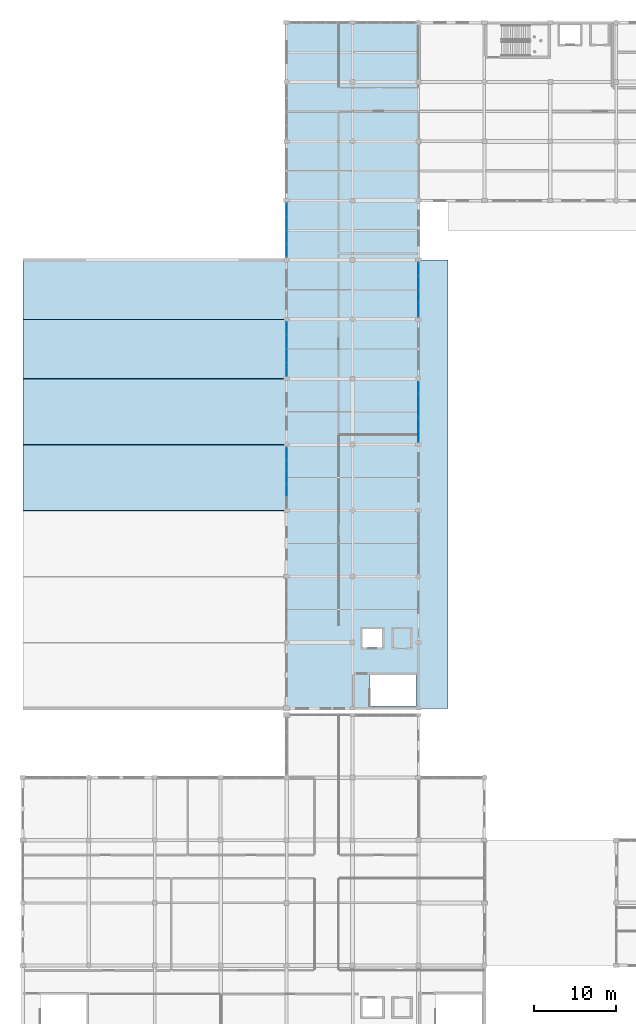
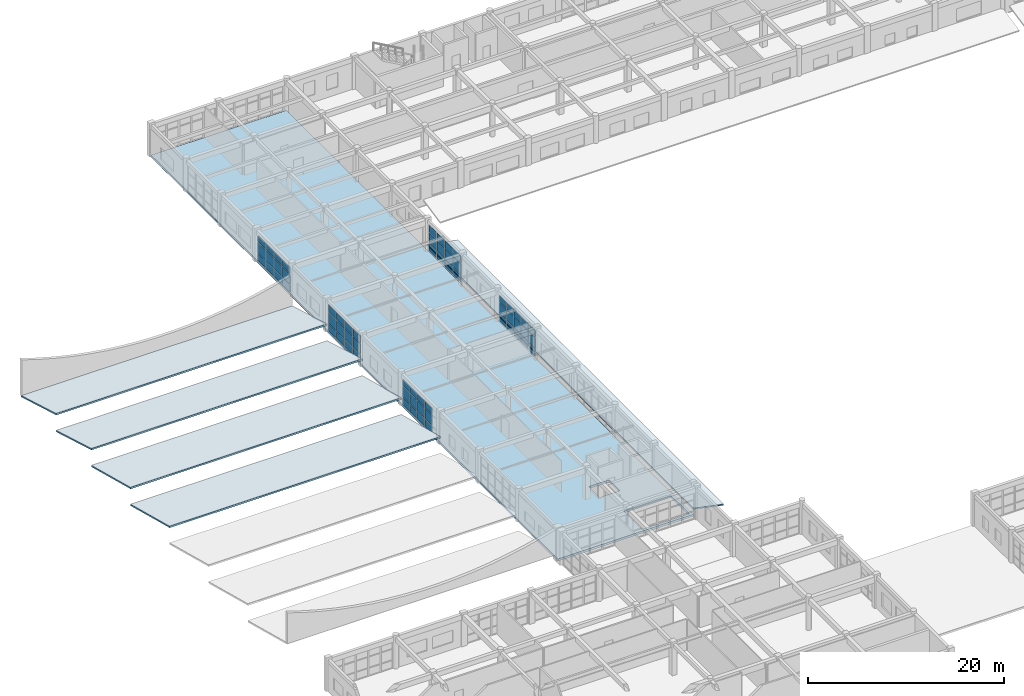
# One storey, part 94 of 121: 63 plates, 6 slabs, 5 elements without a shape of their own.
"""IFC4 building model written with IfcOpenShell, lengths in metres."""

from ifc_helpers import new_model, si_unit, direction, frame, origin, origin_2d, place, context, subcontext, project, spatial, polyline, rectangle, outline, extrude, material, layer, layer_set, type_object, element, aggregate, save


model = new_model("IFC4")

# Units and contexts
model_context = context("Model", 3, precision=1e-05, world=origin(), true_north=direction((0.0, 1.0)))
body_context = subcontext(model_context, "Body", "Model", "MODEL_VIEW")
ifc_project = project(units=[si_unit("LENGTHUNIT", "METRE"), si_unit("AREAUNIT", "SQUARE_METRE"), si_unit("VOLUMEUNIT", "CUBIC_METRE"), si_unit("PLANEANGLEUNIT", "RADIAN"), si_unit("MASSUNIT", "GRAM", prefix="KILO")], contexts=[model_context])

# Site, building, storey
site_placement = place(None, origin())
site = spatial("IfcSite", under=ifc_project, at=site_placement, CompositionType="ELEMENT")
building_placement = place(site_placement, origin())
building = spatial("IfcBuilding", under=site, at=building_placement, Name="Kharva Crest Polytechnic", CompositionType="ELEMENT")
storey_placement = place(building_placement, frame((0.0, 0.0, 13.199951171875)))
storey = spatial("IfcBuildingStorey", under=building, at=storey_placement, Name="L03", CompositionType="ELEMENT", Elevation=13.199951171875)

# Curtain wall, plates
ifc_material_1 = material(Name="Tempered insulated glass", Category="glass")
curtain_wall_type = type_object("IfcCurtainWallType", Name="CW-SYS-COURT", PredefinedType="USERDEFINED", material=ifc_material_1)
curtain_wall_1_placement = place(storey_placement, origin())
curtain_wall_1 = element("IfcCurtainWall", 1, at=curtain_wall_1_placement, inside=storey, type_object=curtain_wall_type, Name="L03 Glazed Curtain Wall CW-165", ObjectType="CURTAIN WALL", PredefinedType="USERDEFINED")
ifc_layer_1 = layer(ifc_material_1, 0.02392578125, Name="Tempered insulated glass")
ifc_layer_set_1 = layer_set([ifc_layer_1], Name="Tempered insulated glass")
plate_type = type_object("IfcPlateType", Name="CWP-GLZ-24", PredefinedType="CURTAIN_PANEL", material=ifc_layer_set_1)
plate_1_placement = place(storey_placement, frame((32.0, 99.297607421875, 0.119873046875), z_axis=(0.0, 0.0, 1.0), x_axis=(0.0, -1.0, 0.0)))
plate_1 = element("IfcPlate", 2, at=plate_1_placement, type_object=plate_type, Name="CW-165 panel 1.1", PredefinedType="CURTAIN_PANEL", context=body_context, shape_type="SweptSolid", body=[
    extrude(rectangle(XDim=1.534912109375, YDim=0.02392578125, at=origin_2d()), origin(), (0.0, 0.0, 1.0), 0.8701171875),
])
plate_2_placement = place(storey_placement, frame((32.0, 99.297607421875, 1.10986328125), z_axis=(0.0, 0.0, 1.0), x_axis=(0.0, -1.0, 0.0)))
plate_2 = element("IfcPlate", 3, at=plate_2_placement, type_object=plate_type, Name="CW-165 panel 1.2", PredefinedType="CURTAIN_PANEL", context=body_context, shape_type="SweptSolid", body=[
    extrude(rectangle(XDim=1.534912109375, YDim=0.02392578125, at=origin_2d()), origin(), (0.0, 0.0, 1.0), 1.280029296875),
])
plate_3_placement = place(storey_placement, frame((32.0, 99.297607421875, 2.510009765625), z_axis=(0.0, 0.0, 1.0), x_axis=(0.0, -1.0, 0.0)))
plate_3 = element("IfcPlate", 4, at=plate_3_placement, type_object=plate_type, Name="CW-165 panel 1.3", PredefinedType="CURTAIN_PANEL", context=body_context, shape_type="SweptSolid", body=[
    extrude(rectangle(XDim=1.534912109375, YDim=0.02392578125, at=origin_2d()), origin(), (0.0, 0.0, 1.0), 0.7099609375),
])
plate_4_placement = place(storey_placement, frame((32.0, 97.66259765625, 0.119873046875), z_axis=(0.0, 0.0, 1.0), x_axis=(0.0, -1.0, 0.0)))
plate_4 = element("IfcPlate", 5, at=plate_4_placement, type_object=plate_type, Name="CW-165 panel 2.1", PredefinedType="CURTAIN_PANEL", context=body_context, shape_type="SweptSolid", body=[
    extrude(rectangle(XDim=1.574951171875, YDim=0.02392578125, at=origin_2d()), origin(), (0.0, 0.0, 1.0), 0.8701171875),
])
plate_5_placement = place(storey_placement, frame((32.0, 97.66259765625, 1.10986328125), z_axis=(0.0, 0.0, 1.0), x_axis=(0.0, -1.0, 0.0)))
plate_5 = element("IfcPlate", 6, at=plate_5_placement, type_object=plate_type, Name="CW-165 panel 2.2", PredefinedType="CURTAIN_PANEL", context=body_context, shape_type="SweptSolid", body=[
    extrude(rectangle(XDim=1.574951171875, YDim=0.02392578125, at=origin_2d()), origin(), (0.0, 0.0, 1.0), 1.280029296875),
])
plate_6_placement = place(storey_placement, frame((32.0, 97.66259765625, 2.510009765625), z_axis=(0.0, 0.0, 1.0), x_axis=(0.0, -1.0, 0.0)))
plate_6 = element("IfcPlate", 7, at=plate_6_placement, type_object=plate_type, Name="CW-165 panel 2.3", PredefinedType="CURTAIN_PANEL", context=body_context, shape_type="SweptSolid", body=[
    extrude(rectangle(XDim=1.574951171875, YDim=0.02392578125, at=origin_2d()), origin(), (0.0, 0.0, 1.0), 0.7099609375),
])
plate_7_placement = place(storey_placement, frame((32.0, 96.007568359375, 0.119873046875), z_axis=(0.0, 0.0, 1.0), x_axis=(0.0, -1.0, 0.0)))
plate_7 = element("IfcPlate", 8, at=plate_7_placement, type_object=plate_type, Name="CW-165 panel 3.1", PredefinedType="CURTAIN_PANEL", context=body_context, shape_type="SweptSolid", body=[
    extrude(rectangle(XDim=1.574951171875, YDim=0.02392578125, at=origin_2d()), origin(), (0.0, 0.0, 1.0), 0.8701171875),
])
plate_8_placement = place(storey_placement, frame((32.0, 96.007568359375, 1.10986328125), z_axis=(0.0, 0.0, 1.0), x_axis=(0.0, -1.0, 0.0)))
plate_8 = element("IfcPlate", 9, at=plate_8_placement, type_object=plate_type, Name="CW-165 panel 3.2", PredefinedType="CURTAIN_PANEL", context=body_context, shape_type="SweptSolid", body=[
    extrude(rectangle(XDim=1.574951171875, YDim=0.02392578125, at=origin_2d()), origin(), (0.0, 0.0, 1.0), 1.280029296875),
])
plate_9_placement = place(storey_placement, frame((32.0, 96.007568359375, 2.510009765625), z_axis=(0.0, 0.0, 1.0), x_axis=(0.0, -1.0, 0.0)))
plate_9 = element("IfcPlate", 10, at=plate_9_placement, type_object=plate_type, Name="CW-165 panel 3.3", PredefinedType="CURTAIN_PANEL", context=body_context, shape_type="SweptSolid", body=[
    extrude(rectangle(XDim=1.574951171875, YDim=0.02392578125, at=origin_2d()), origin(), (0.0, 0.0, 1.0), 0.7099609375),
])
plate_10_placement = place(storey_placement, frame((32.0, 94.37255859375, 0.119873046875), z_axis=(0.0, 0.0, 1.0), x_axis=(0.0, -1.0, 0.0)))
plate_10 = element("IfcPlate", 11, at=plate_10_placement, type_object=plate_type, Name="CW-165 panel 4.1", PredefinedType="CURTAIN_PANEL", context=body_context, shape_type="SweptSolid", body=[
    extrude(rectangle(XDim=1.534912109375, YDim=0.02392578125, at=origin_2d()), origin(), (0.0, 0.0, 1.0), 0.8701171875),
])
plate_11_placement = place(storey_placement, frame((32.0, 94.37255859375, 1.10986328125), z_axis=(0.0, 0.0, 1.0), x_axis=(0.0, -1.0, 0.0)))
plate_11 = element("IfcPlate", 12, at=plate_11_placement, type_object=plate_type, Name="CW-165 panel 4.2", PredefinedType="CURTAIN_PANEL", context=body_context, shape_type="SweptSolid", body=[
    extrude(rectangle(XDim=1.534912109375, YDim=0.02392578125, at=origin_2d()), origin(), (0.0, 0.0, 1.0), 1.280029296875),
])
plate_12_placement = place(storey_placement, frame((32.0, 94.37255859375, 2.510009765625), z_axis=(0.0, 0.0, 1.0), x_axis=(0.0, -1.0, 0.0)))
plate_12 = element("IfcPlate", 13, at=plate_12_placement, type_object=plate_type, Name="CW-165 panel 4.3", PredefinedType="CURTAIN_PANEL", context=body_context, shape_type="SweptSolid", body=[
    extrude(rectangle(XDim=1.534912109375, YDim=0.02392578125, at=origin_2d()), origin(), (0.0, 0.0, 1.0), 0.7099609375),
])
aggregate(curtain_wall_1, [plate_1, plate_2, plate_3, plate_4, plate_5, plate_6, plate_7, plate_8, plate_9, plate_10, plate_11, plate_12])

curtain_wall_2_placement = place(storey_placement, origin())
curtain_wall_2 = element("IfcCurtainWall", 14, at=curtain_wall_2_placement, inside=storey, type_object=curtain_wall_type, Name="L03 Glazed Curtain Wall CW-166", ObjectType="CURTAIN WALL", PredefinedType="USERDEFINED")
plate_13_placement = place(storey_placement, frame((32.0, 84.888671875, 0.119873046875), z_axis=(0.0, 0.0, 1.0), x_axis=(0.0, -1.0, 0.0)))
plate_13 = element("IfcPlate", 15, at=plate_13_placement, type_object=plate_type, Name="CW-166 panel 1.1", PredefinedType="CURTAIN_PANEL", context=body_context, shape_type="SweptSolid", body=[
    extrude(rectangle(XDim=1.552490234375, YDim=0.02392578125, at=origin_2d()), origin(), (0.0, 0.0, 1.0), 0.8701171875),
])
plate_14_placement = place(storey_placement, frame((32.0, 84.888671875, 1.10986328125), z_axis=(0.0, 0.0, 1.0), x_axis=(0.0, -1.0, 0.0)))
plate_14 = element("IfcPlate", 16, at=plate_14_placement, type_object=plate_type, Name="CW-166 panel 1.2", PredefinedType="CURTAIN_PANEL", context=body_context, shape_type="SweptSolid", body=[
    extrude(rectangle(XDim=1.552490234375, YDim=0.02392578125, at=origin_2d()), origin(), (0.0, 0.0, 1.0), 1.280029296875),
])
plate_15_placement = place(storey_placement, frame((32.0, 84.888671875, 2.510009765625), z_axis=(0.0, 0.0, 1.0), x_axis=(0.0, -1.0, 0.0)))
plate_15 = element("IfcPlate", 17, at=plate_15_placement, type_object=plate_type, Name="CW-166 panel 1.3", PredefinedType="CURTAIN_PANEL", context=body_context, shape_type="SweptSolid", body=[
    extrude(rectangle(XDim=1.552490234375, YDim=0.02392578125, at=origin_2d()), origin(), (0.0, 0.0, 1.0), 0.8701171875),
])
plate_16_placement = place(storey_placement, frame((32.0, 83.236328125, 0.119873046875), z_axis=(0.0, 0.0, 1.0), x_axis=(0.0, -1.0, 0.0)))
plate_16 = element("IfcPlate", 18, at=plate_16_placement, type_object=plate_type, Name="CW-166 panel 2.1", PredefinedType="CURTAIN_PANEL", context=body_context, shape_type="SweptSolid", body=[
    extrude(rectangle(XDim=1.592529296875, YDim=0.02392578125, at=origin_2d()), origin(), (0.0, 0.0, 1.0), 0.8701171875),
])
plate_17_placement = place(storey_placement, frame((32.0, 83.236328125, 1.10986328125), z_axis=(0.0, 0.0, 1.0), x_axis=(0.0, -1.0, 0.0)))
plate_17 = element("IfcPlate", 19, at=plate_17_placement, type_object=plate_type, Name="CW-166 panel 2.2", PredefinedType="CURTAIN_PANEL", context=body_context, shape_type="SweptSolid", body=[
    extrude(rectangle(XDim=1.592529296875, YDim=0.02392578125, at=origin_2d()), origin(), (0.0, 0.0, 1.0), 1.280029296875),
])
plate_18_placement = place(storey_placement, frame((32.0, 83.236328125, 2.510009765625), z_axis=(0.0, 0.0, 1.0), x_axis=(0.0, -1.0, 0.0)))
plate_18 = element("IfcPlate", 20, at=plate_18_placement, type_object=plate_type, Name="CW-166 panel 2.3", PredefinedType="CURTAIN_PANEL", context=body_context, shape_type="SweptSolid", body=[
    extrude(rectangle(XDim=1.592529296875, YDim=0.02392578125, at=origin_2d()), origin(), (0.0, 0.0, 1.0), 0.8701171875),
])
plate_19_placement = place(storey_placement, frame((32.0, 81.563720703125, 0.119873046875), z_axis=(0.0, 0.0, 1.0), x_axis=(0.0, -1.0, 0.0)))
plate_19 = element("IfcPlate", 21, at=plate_19_placement, type_object=plate_type, Name="CW-166 panel 3.1", PredefinedType="CURTAIN_PANEL", context=body_context, shape_type="SweptSolid", body=[
    extrude(rectangle(XDim=1.592529296875, YDim=0.02392578125, at=origin_2d()), origin(), (0.0, 0.0, 1.0), 0.8701171875),
])
plate_20_placement = place(storey_placement, frame((32.0, 81.563720703125, 1.10986328125), z_axis=(0.0, 0.0, 1.0), x_axis=(0.0, -1.0, 0.0)))
plate_20 = element("IfcPlate", 22, at=plate_20_placement, type_object=plate_type, Name="CW-166 panel 3.2", PredefinedType="CURTAIN_PANEL", context=body_context, shape_type="SweptSolid", body=[
    extrude(rectangle(XDim=1.592529296875, YDim=0.02392578125, at=origin_2d()), origin(), (0.0, 0.0, 1.0), 1.280029296875),
])
plate_21_placement = place(storey_placement, frame((32.0, 81.563720703125, 2.510009765625), z_axis=(0.0, 0.0, 1.0), x_axis=(0.0, -1.0, 0.0)))
plate_21 = element("IfcPlate", 23, at=plate_21_placement, type_object=plate_type, Name="CW-166 panel 3.3", PredefinedType="CURTAIN_PANEL", context=body_context, shape_type="SweptSolid", body=[
    extrude(rectangle(XDim=1.592529296875, YDim=0.02392578125, at=origin_2d()), origin(), (0.0, 0.0, 1.0), 0.8701171875),
])
plate_22_placement = place(storey_placement, frame((32.0, 79.9111328125, 0.119873046875), z_axis=(0.0, 0.0, 1.0), x_axis=(0.0, -1.0, 0.0)))
plate_22 = element("IfcPlate", 24, at=plate_22_placement, type_object=plate_type, Name="CW-166 panel 4.1", PredefinedType="CURTAIN_PANEL", context=body_context, shape_type="SweptSolid", body=[
    extrude(rectangle(XDim=1.552490234375, YDim=0.02392578125, at=origin_2d()), origin(), (0.0, 0.0, 1.0), 0.8701171875),
])
plate_23_placement = place(storey_placement, frame((32.0, 79.9111328125, 1.10986328125), z_axis=(0.0, 0.0, 1.0), x_axis=(0.0, -1.0, 0.0)))
plate_23 = element("IfcPlate", 25, at=plate_23_placement, type_object=plate_type, Name="CW-166 panel 4.2", PredefinedType="CURTAIN_PANEL", context=body_context, shape_type="SweptSolid", body=[
    extrude(rectangle(XDim=1.552490234375, YDim=0.02392578125, at=origin_2d()), origin(), (0.0, 0.0, 1.0), 1.280029296875),
])
plate_24_placement = place(storey_placement, frame((32.0, 79.9111328125, 2.510009765625), z_axis=(0.0, 0.0, 1.0), x_axis=(0.0, -1.0, 0.0)))
plate_24 = element("IfcPlate", 26, at=plate_24_placement, type_object=plate_type, Name="CW-166 panel 4.3", PredefinedType="CURTAIN_PANEL", context=body_context, shape_type="SweptSolid", body=[
    extrude(rectangle(XDim=1.552490234375, YDim=0.02392578125, at=origin_2d()), origin(), (0.0, 0.0, 1.0), 0.8701171875),
])
aggregate(curtain_wall_2, [plate_13, plate_14, plate_15, plate_16, plate_17, plate_18, plate_19, plate_20, plate_21, plate_22, plate_23, plate_24])

curtain_wall_3_placement = place(storey_placement, origin())
curtain_wall_3 = element("IfcCurtainWall", 27, at=curtain_wall_3_placement, inside=storey, type_object=curtain_wall_type, Name="L03 Glazed Curtain Wall CW-167", ObjectType="CURTAIN WALL", PredefinedType="USERDEFINED")
plate_25_placement = place(storey_placement, frame((32.0, 69.712890625, 0.119873046875), z_axis=(0.0, 0.0, 1.0), x_axis=(0.0, -1.0, 0.0)))
plate_25 = element("IfcPlate", 28, at=plate_25_placement, type_object=plate_type, Name="CW-167 panel 1.1", PredefinedType="CURTAIN_PANEL", context=body_context, shape_type="SweptSolid", body=[
    extrude(rectangle(XDim=1.364013671875, YDim=0.02392578125, at=origin_2d()), origin(), (0.0, 0.0, 1.0), 0.8701171875),
])
plate_26_placement = place(storey_placement, frame((32.0, 69.712890625, 1.10986328125), z_axis=(0.0, 0.0, 1.0), x_axis=(0.0, -1.0, 0.0)))
plate_26 = element("IfcPlate", 29, at=plate_26_placement, type_object=plate_type, Name="CW-167 panel 1.2", PredefinedType="CURTAIN_PANEL", context=body_context, shape_type="SweptSolid", body=[
    extrude(rectangle(XDim=1.364013671875, YDim=0.02392578125, at=origin_2d()), origin(), (0.0, 0.0, 1.0), 1.280029296875),
])
plate_27_placement = place(storey_placement, frame((32.0, 69.712890625, 2.510009765625), z_axis=(0.0, 0.0, 1.0), x_axis=(0.0, -1.0, 0.0)))
plate_27 = element("IfcPlate", 30, at=plate_27_placement, type_object=plate_type, Name="CW-167 panel 1.3", PredefinedType="CURTAIN_PANEL", context=body_context, shape_type="SweptSolid", body=[
    extrude(rectangle(XDim=1.364013671875, YDim=0.02392578125, at=origin_2d()), origin(), (0.0, 0.0, 1.0), 0.75),
])
plate_28_placement = place(storey_placement, frame((32.0, 68.2490234375, 0.119873046875), z_axis=(0.0, 0.0, 1.0), x_axis=(0.0, -1.0, 0.0)))
plate_28 = element("IfcPlate", 31, at=plate_28_placement, type_object=plate_type, Name="CW-167 panel 2.1", PredefinedType="CURTAIN_PANEL", context=body_context, shape_type="SweptSolid", body=[
    extrude(rectangle(XDim=1.404052734375, YDim=0.02392578125, at=origin_2d()), origin(), (0.0, 0.0, 1.0), 0.8701171875),
])
plate_29_placement = place(storey_placement, frame((32.0, 68.2490234375, 1.10986328125), z_axis=(0.0, 0.0, 1.0), x_axis=(0.0, -1.0, 0.0)))
plate_29 = element("IfcPlate", 32, at=plate_29_placement, type_object=plate_type, Name="CW-167 panel 2.2", PredefinedType="CURTAIN_PANEL", context=body_context, shape_type="SweptSolid", body=[
    extrude(rectangle(XDim=1.404052734375, YDim=0.02392578125, at=origin_2d()), origin(), (0.0, 0.0, 1.0), 1.280029296875),
])
plate_30_placement = place(storey_placement, frame((32.0, 68.2490234375, 2.510009765625), z_axis=(0.0, 0.0, 1.0), x_axis=(0.0, -1.0, 0.0)))
plate_30 = element("IfcPlate", 33, at=plate_30_placement, type_object=plate_type, Name="CW-167 panel 2.3", PredefinedType="CURTAIN_PANEL", context=body_context, shape_type="SweptSolid", body=[
    extrude(rectangle(XDim=1.404052734375, YDim=0.02392578125, at=origin_2d()), origin(), (0.0, 0.0, 1.0), 0.75),
])
plate_31_placement = place(storey_placement, frame((32.0, 66.764892578125, 0.119873046875), z_axis=(0.0, 0.0, 1.0), x_axis=(0.0, -1.0, 0.0)))
plate_31 = element("IfcPlate", 34, at=plate_31_placement, type_object=plate_type, Name="CW-167 panel 3.1", PredefinedType="CURTAIN_PANEL", context=body_context, shape_type="SweptSolid", body=[
    extrude(rectangle(XDim=1.404052734375, YDim=0.02392578125, at=origin_2d()), origin(), (0.0, 0.0, 1.0), 0.8701171875),
])
plate_32_placement = place(storey_placement, frame((32.0, 66.764892578125, 1.10986328125), z_axis=(0.0, 0.0, 1.0), x_axis=(0.0, -1.0, 0.0)))
plate_32 = element("IfcPlate", 35, at=plate_32_placement, type_object=plate_type, Name="CW-167 panel 3.2", PredefinedType="CURTAIN_PANEL", context=body_context, shape_type="SweptSolid", body=[
    extrude(rectangle(XDim=1.404052734375, YDim=0.02392578125, at=origin_2d()), origin(), (0.0, 0.0, 1.0), 1.280029296875),
])
plate_33_placement = place(storey_placement, frame((32.0, 66.764892578125, 2.510009765625), z_axis=(0.0, 0.0, 1.0), x_axis=(0.0, -1.0, 0.0)))
plate_33 = element("IfcPlate", 36, at=plate_33_placement, type_object=plate_type, Name="CW-167 panel 3.3", PredefinedType="CURTAIN_PANEL", context=body_context, shape_type="SweptSolid", body=[
    extrude(rectangle(XDim=1.404052734375, YDim=0.02392578125, at=origin_2d()), origin(), (0.0, 0.0, 1.0), 0.75),
])
plate_34_placement = place(storey_placement, frame((32.0, 65.281005859375, 0.119873046875), z_axis=(0.0, 0.0, 1.0), x_axis=(0.0, -1.0, 0.0)))
plate_34 = element("IfcPlate", 37, at=plate_34_placement, type_object=plate_type, Name="CW-167 panel 4.1", PredefinedType="CURTAIN_PANEL", context=body_context, shape_type="SweptSolid", body=[
    extrude(rectangle(XDim=1.404052734375, YDim=0.02392578125, at=origin_2d()), origin(), (0.0, 0.0, 1.0), 0.8701171875),
])
plate_35_placement = place(storey_placement, frame((32.0, 65.281005859375, 1.10986328125), z_axis=(0.0, 0.0, 1.0), x_axis=(0.0, -1.0, 0.0)))
plate_35 = element("IfcPlate", 38, at=plate_35_placement, type_object=plate_type, Name="CW-167 panel 4.2", PredefinedType="CURTAIN_PANEL", context=body_context, shape_type="SweptSolid", body=[
    extrude(rectangle(XDim=1.404052734375, YDim=0.02392578125, at=origin_2d()), origin(), (0.0, 0.0, 1.0), 1.280029296875),
])
plate_36_placement = place(storey_placement, frame((32.0, 65.281005859375, 2.510009765625), z_axis=(0.0, 0.0, 1.0), x_axis=(0.0, -1.0, 0.0)))
plate_36 = element("IfcPlate", 39, at=plate_36_placement, type_object=plate_type, Name="CW-167 panel 4.3", PredefinedType="CURTAIN_PANEL", context=body_context, shape_type="SweptSolid", body=[
    extrude(rectangle(XDim=1.404052734375, YDim=0.02392578125, at=origin_2d()), origin(), (0.0, 0.0, 1.0), 0.75),
])
aggregate(curtain_wall_3, [plate_25, plate_26, plate_27, plate_28, plate_29, plate_30, plate_31, plate_32, plate_33, plate_34, plate_35, plate_36])

curtain_wall_4_placement = place(storey_placement, origin())
curtain_wall_4 = element("IfcCurtainWall", 40, at=curtain_wall_4_placement, inside=storey, type_object=curtain_wall_type, Name="L03 Glazed Curtain Wall CW-170", ObjectType="CURTAIN WALL", PredefinedType="USERDEFINED")
plate_37_placement = place(storey_placement, frame((48.0, 71.81689453125, 0.119873046875), z_axis=(0.0, 0.0, 1.0), x_axis=(0.0, 1.0, 0.0)))
plate_37 = element("IfcPlate", 41, at=plate_37_placement, type_object=plate_type, Name="CW-170 panel 1.1", PredefinedType="CURTAIN_PANEL", context=body_context, shape_type="SweptSolid", body=[
    extrude(rectangle(XDim=1.364013671875, YDim=0.02392578125, at=origin_2d()), origin(), (0.0, 0.0, 1.0), 0.8701171875),
])
plate_38_placement = place(storey_placement, frame((48.0, 71.81689453125, 1.10986328125), z_axis=(0.0, 0.0, 1.0), x_axis=(0.0, 1.0, 0.0)))
plate_38 = element("IfcPlate", 42, at=plate_38_placement, type_object=plate_type, Name="CW-170 panel 1.2", PredefinedType="CURTAIN_PANEL", context=body_context, shape_type="SweptSolid", body=[
    extrude(rectangle(XDim=1.364013671875, YDim=0.02392578125, at=origin_2d()), origin(), (0.0, 0.0, 1.0), 1.280029296875),
])
plate_39_placement = place(storey_placement, frame((48.0, 71.81689453125, 2.510009765625), z_axis=(0.0, 0.0, 1.0), x_axis=(0.0, 1.0, 0.0)))
plate_39 = element("IfcPlate", 43, at=plate_39_placement, type_object=plate_type, Name="CW-170 panel 1.3", PredefinedType="CURTAIN_PANEL", context=body_context, shape_type="SweptSolid", body=[
    extrude(rectangle(XDim=1.364013671875, YDim=0.02392578125, at=origin_2d()), origin(), (0.0, 0.0, 1.0), 0.81005859375),
])
plate_40_placement = place(storey_placement, frame((48.0, 73.281005859375, 0.119873046875), z_axis=(0.0, 0.0, 1.0), x_axis=(0.0, 1.0, 0.0)))
plate_40 = element("IfcPlate", 44, at=plate_40_placement, type_object=plate_type, Name="CW-170 panel 2.1", PredefinedType="CURTAIN_PANEL", context=body_context, shape_type="SweptSolid", body=[
    extrude(rectangle(XDim=1.404052734375, YDim=0.02392578125, at=origin_2d()), origin(), (0.0, 0.0, 1.0), 0.8701171875),
])
plate_41_placement = place(storey_placement, frame((48.0, 73.281005859375, 1.10986328125), z_axis=(0.0, 0.0, 1.0), x_axis=(0.0, 1.0, 0.0)))
plate_41 = element("IfcPlate", 45, at=plate_41_placement, type_object=plate_type, Name="CW-170 panel 2.2", PredefinedType="CURTAIN_PANEL", context=body_context, shape_type="SweptSolid", body=[
    extrude(rectangle(XDim=1.404052734375, YDim=0.02392578125, at=origin_2d()), origin(), (0.0, 0.0, 1.0), 1.280029296875),
])
plate_42_placement = place(storey_placement, frame((48.0, 73.281005859375, 2.510009765625), z_axis=(0.0, 0.0, 1.0), x_axis=(0.0, 1.0, 0.0)))
plate_42 = element("IfcPlate", 46, at=plate_42_placement, type_object=plate_type, Name="CW-170 panel 2.3", PredefinedType="CURTAIN_PANEL", context=body_context, shape_type="SweptSolid", body=[
    extrude(rectangle(XDim=1.404052734375, YDim=0.02392578125, at=origin_2d()), origin(), (0.0, 0.0, 1.0), 0.81005859375),
])
plate_43_placement = place(storey_placement, frame((48.0, 74.764892578125, 0.119873046875), z_axis=(0.0, 0.0, 1.0), x_axis=(0.0, 1.0, 0.0)))
plate_43 = element("IfcPlate", 47, at=plate_43_placement, type_object=plate_type, Name="CW-170 panel 3.1", PredefinedType="CURTAIN_PANEL", context=body_context, shape_type="SweptSolid", body=[
    extrude(rectangle(XDim=1.404052734375, YDim=0.02392578125, at=origin_2d()), origin(), (0.0, 0.0, 1.0), 0.8701171875),
])
plate_44_placement = place(storey_placement, frame((48.0, 74.764892578125, 1.10986328125), z_axis=(0.0, 0.0, 1.0), x_axis=(0.0, 1.0, 0.0)))
plate_44 = element("IfcPlate", 48, at=plate_44_placement, type_object=plate_type, Name="CW-170 panel 3.2", PredefinedType="CURTAIN_PANEL", context=body_context, shape_type="SweptSolid", body=[
    extrude(rectangle(XDim=1.404052734375, YDim=0.02392578125, at=origin_2d()), origin(), (0.0, 0.0, 1.0), 1.280029296875),
])
plate_45_placement = place(storey_placement, frame((48.0, 74.764892578125, 2.510009765625), z_axis=(0.0, 0.0, 1.0), x_axis=(0.0, 1.0, 0.0)))
plate_45 = element("IfcPlate", 49, at=plate_45_placement, type_object=plate_type, Name="CW-170 panel 3.3", PredefinedType="CURTAIN_PANEL", context=body_context, shape_type="SweptSolid", body=[
    extrude(rectangle(XDim=1.404052734375, YDim=0.02392578125, at=origin_2d()), origin(), (0.0, 0.0, 1.0), 0.81005859375),
])
plate_46_placement = place(storey_placement, frame((48.0, 76.2490234375, 0.119873046875), z_axis=(0.0, 0.0, 1.0), x_axis=(0.0, 1.0, 0.0)))
plate_46 = element("IfcPlate", 50, at=plate_46_placement, type_object=plate_type, Name="CW-170 panel 4.1", PredefinedType="CURTAIN_PANEL", context=body_context, shape_type="SweptSolid", body=[
    extrude(rectangle(XDim=1.404052734375, YDim=0.02392578125, at=origin_2d()), origin(), (0.0, 0.0, 1.0), 0.8701171875),
])
plate_47_placement = place(storey_placement, frame((48.0, 76.2490234375, 1.10986328125), z_axis=(0.0, 0.0, 1.0), x_axis=(0.0, 1.0, 0.0)))
plate_47 = element("IfcPlate", 51, at=plate_47_placement, type_object=plate_type, Name="CW-170 panel 4.2", PredefinedType="CURTAIN_PANEL", context=body_context, shape_type="SweptSolid", body=[
    extrude(rectangle(XDim=1.404052734375, YDim=0.02392578125, at=origin_2d()), origin(), (0.0, 0.0, 1.0), 1.280029296875),
])
plate_48_placement = place(storey_placement, frame((48.0, 76.2490234375, 2.510009765625), z_axis=(0.0, 0.0, 1.0), x_axis=(0.0, 1.0, 0.0)))
plate_48 = element("IfcPlate", 52, at=plate_48_placement, type_object=plate_type, Name="CW-170 panel 4.3", PredefinedType="CURTAIN_PANEL", context=body_context, shape_type="SweptSolid", body=[
    extrude(rectangle(XDim=1.404052734375, YDim=0.02392578125, at=origin_2d()), origin(), (0.0, 0.0, 1.0), 0.81005859375),
])
plate_49_placement = place(storey_placement, frame((48.0, 77.712890625, 0.119873046875), z_axis=(0.0, 0.0, 1.0), x_axis=(0.0, 1.0, 0.0)))
plate_49 = element("IfcPlate", 53, at=plate_49_placement, type_object=plate_type, Name="CW-170 panel 5.1", PredefinedType="CURTAIN_PANEL", context=body_context, shape_type="SweptSolid", body=[
    extrude(rectangle(XDim=1.364013671875, YDim=0.02392578125, at=origin_2d()), origin(), (0.0, 0.0, 1.0), 0.8701171875),
])
plate_50_placement = place(storey_placement, frame((48.0, 77.712890625, 1.10986328125), z_axis=(0.0, 0.0, 1.0), x_axis=(0.0, 1.0, 0.0)))
plate_50 = element("IfcPlate", 54, at=plate_50_placement, type_object=plate_type, Name="CW-170 panel 5.2", PredefinedType="CURTAIN_PANEL", context=body_context, shape_type="SweptSolid", body=[
    extrude(rectangle(XDim=1.364013671875, YDim=0.02392578125, at=origin_2d()), origin(), (0.0, 0.0, 1.0), 1.280029296875),
])
plate_51_placement = place(storey_placement, frame((48.0, 77.712890625, 2.510009765625), z_axis=(0.0, 0.0, 1.0), x_axis=(0.0, 1.0, 0.0)))
plate_51 = element("IfcPlate", 55, at=plate_51_placement, type_object=plate_type, Name="CW-170 panel 5.3", PredefinedType="CURTAIN_PANEL", context=body_context, shape_type="SweptSolid", body=[
    extrude(rectangle(XDim=1.364013671875, YDim=0.02392578125, at=origin_2d()), origin(), (0.0, 0.0, 1.0), 0.81005859375),
])
aggregate(curtain_wall_4, [plate_37, plate_38, plate_39, plate_40, plate_41, plate_42, plate_43, plate_44, plate_45, plate_46, plate_47, plate_48, plate_49, plate_50, plate_51])

curtain_wall_5_placement = place(storey_placement, origin())
curtain_wall_5 = element("IfcCurtainWall", 56, at=curtain_wall_5_placement, inside=storey, type_object=curtain_wall_type, Name="L03 Glazed Curtain Wall CW-171", ObjectType="CURTAIN WALL", PredefinedType="USERDEFINED")
plate_52_placement = place(storey_placement, frame((48.0, 87.111328125, 0.119873046875), z_axis=(0.0, 0.0, 1.0), x_axis=(0.0, 1.0, 0.0)))
plate_52 = element("IfcPlate", 57, at=plate_52_placement, type_object=plate_type, Name="CW-171 panel 1.1", PredefinedType="CURTAIN_PANEL", context=body_context, shape_type="SweptSolid", body=[
    extrude(rectangle(XDim=1.552490234375, YDim=0.02392578125, at=origin_2d()), origin(), (0.0, 0.0, 1.0), 0.8701171875),
])
plate_53_placement = place(storey_placement, frame((48.0, 87.111328125, 1.10986328125), z_axis=(0.0, 0.0, 1.0), x_axis=(0.0, 1.0, 0.0)))
plate_53 = element("IfcPlate", 58, at=plate_53_placement, type_object=plate_type, Name="CW-171 panel 1.2", PredefinedType="CURTAIN_PANEL", context=body_context, shape_type="SweptSolid", body=[
    extrude(rectangle(XDim=1.552490234375, YDim=0.02392578125, at=origin_2d()), origin(), (0.0, 0.0, 1.0), 1.280029296875),
])
plate_54_placement = place(storey_placement, frame((48.0, 87.111328125, 2.51025390625), z_axis=(0.0, 0.0, 1.0), x_axis=(0.0, 1.0, 0.0)))
plate_54 = element("IfcPlate", 59, at=plate_54_placement, type_object=plate_type, Name="CW-171 panel 1.3", PredefinedType="CURTAIN_PANEL", context=body_context, shape_type="SweptSolid", body=[
    extrude(rectangle(XDim=1.552490234375, YDim=0.02392578125, at=origin_2d()), origin(), (0.0, 0.0, 1.0), 0.889892578125),
])
plate_55_placement = place(storey_placement, frame((48.0, 88.763671875, 0.119873046875), z_axis=(0.0, 0.0, 1.0), x_axis=(0.0, 1.0, 0.0)))
plate_55 = element("IfcPlate", 60, at=plate_55_placement, type_object=plate_type, Name="CW-171 panel 2.1", PredefinedType="CURTAIN_PANEL", context=body_context, shape_type="SweptSolid", body=[
    extrude(rectangle(XDim=1.592529296875, YDim=0.02392578125, at=origin_2d()), origin(), (0.0, 0.0, 1.0), 0.8701171875),
])
plate_56_placement = place(storey_placement, frame((48.0, 88.763671875, 1.10986328125), z_axis=(0.0, 0.0, 1.0), x_axis=(0.0, 1.0, 0.0)))
plate_56 = element("IfcPlate", 61, at=plate_56_placement, type_object=plate_type, Name="CW-171 panel 2.2", PredefinedType="CURTAIN_PANEL", context=body_context, shape_type="SweptSolid", body=[
    extrude(rectangle(XDim=1.592529296875, YDim=0.02392578125, at=origin_2d()), origin(), (0.0, 0.0, 1.0), 1.280029296875),
])
plate_57_placement = place(storey_placement, frame((48.0, 88.763671875, 2.51025390625), z_axis=(0.0, 0.0, 1.0), x_axis=(0.0, 1.0, 0.0)))
plate_57 = element("IfcPlate", 62, at=plate_57_placement, type_object=plate_type, Name="CW-171 panel 2.3", PredefinedType="CURTAIN_PANEL", context=body_context, shape_type="SweptSolid", body=[
    extrude(rectangle(XDim=1.592529296875, YDim=0.02392578125, at=origin_2d()), origin(), (0.0, 0.0, 1.0), 0.889892578125),
])
plate_58_placement = place(storey_placement, frame((48.0, 90.436279296875, 0.119873046875), z_axis=(0.0, 0.0, 1.0), x_axis=(0.0, 1.0, 0.0)))
plate_58 = element("IfcPlate", 63, at=plate_58_placement, type_object=plate_type, Name="CW-171 panel 3.1", PredefinedType="CURTAIN_PANEL", context=body_context, shape_type="SweptSolid", body=[
    extrude(rectangle(XDim=1.592529296875, YDim=0.02392578125, at=origin_2d()), origin(), (0.0, 0.0, 1.0), 0.8701171875),
])
plate_59_placement = place(storey_placement, frame((48.0, 90.436279296875, 1.10986328125), z_axis=(0.0, 0.0, 1.0), x_axis=(0.0, 1.0, 0.0)))
plate_59 = element("IfcPlate", 64, at=plate_59_placement, type_object=plate_type, Name="CW-171 panel 3.2", PredefinedType="CURTAIN_PANEL", context=body_context, shape_type="SweptSolid", body=[
    extrude(rectangle(XDim=1.592529296875, YDim=0.02392578125, at=origin_2d()), origin(), (0.0, 0.0, 1.0), 1.280029296875),
])
plate_60_placement = place(storey_placement, frame((48.0, 90.436279296875, 2.51025390625), z_axis=(0.0, 0.0, 1.0), x_axis=(0.0, 1.0, 0.0)))
plate_60 = element("IfcPlate", 65, at=plate_60_placement, type_object=plate_type, Name="CW-171 panel 3.3", PredefinedType="CURTAIN_PANEL", context=body_context, shape_type="SweptSolid", body=[
    extrude(rectangle(XDim=1.592529296875, YDim=0.02392578125, at=origin_2d()), origin(), (0.0, 0.0, 1.0), 0.889892578125),
])
plate_61_placement = place(storey_placement, frame((48.0, 92.0888671875, 0.119873046875), z_axis=(0.0, 0.0, 1.0), x_axis=(0.0, 1.0, 0.0)))
plate_61 = element("IfcPlate", 66, at=plate_61_placement, type_object=plate_type, Name="CW-171 panel 4.1", PredefinedType="CURTAIN_PANEL", context=body_context, shape_type="SweptSolid", body=[
    extrude(rectangle(XDim=1.552490234375, YDim=0.02392578125, at=origin_2d()), origin(), (0.0, 0.0, 1.0), 0.8701171875),
])
plate_62_placement = place(storey_placement, frame((48.0, 92.0888671875, 1.10986328125), z_axis=(0.0, 0.0, 1.0), x_axis=(0.0, 1.0, 0.0)))
plate_62 = element("IfcPlate", 67, at=plate_62_placement, type_object=plate_type, Name="CW-171 panel 4.2", PredefinedType="CURTAIN_PANEL", context=body_context, shape_type="SweptSolid", body=[
    extrude(rectangle(XDim=1.552490234375, YDim=0.02392578125, at=origin_2d()), origin(), (0.0, 0.0, 1.0), 1.280029296875),
])
plate_63_placement = place(storey_placement, frame((48.0, 92.0888671875, 2.51025390625), z_axis=(0.0, 0.0, 1.0), x_axis=(0.0, 1.0, 0.0)))
plate_63 = element("IfcPlate", 68, at=plate_63_placement, type_object=plate_type, Name="CW-171 panel 4.3", PredefinedType="CURTAIN_PANEL", context=body_context, shape_type="SweptSolid", body=[
    extrude(rectangle(XDim=1.552490234375, YDim=0.02392578125, at=origin_2d()), origin(), (0.0, 0.0, 1.0), 0.889892578125),
])
aggregate(curtain_wall_5, [plate_52, plate_53, plate_54, plate_55, plate_56, plate_57, plate_58, plate_59, plate_60, plate_61, plate_62, plate_63])

# Slabs
ifc_material_2 = material(Name="Concrete C35/45", Category="concrete")
ifc_layer_2 = layer(ifc_material_2, 0.260009765625, Name="Concrete C35/45")
ifc_layer_set_2 = layer_set([ifc_layer_2], Name="Concrete C35/45")
slab_type_1 = type_object("IfcSlabType", Name="SLB-FLR-260", PredefinedType="FLOOR", material=ifc_layer_set_2)
slab_1_placement = place(storey_placement, frame((0.0, 0.0, -0.260009765625)))
element("IfcSlab", 69, at=slab_1_placement, inside=storey, type_object=slab_type_1, Name="L03 Structural Slab W_WKSHP_TOP", PredefinedType="FLOOR", context=body_context, shape_type="SweptSolid", body=[
    extrude(outline(polyline([(32.0, 38.800048828125), (48.0, 38.800048828125), (48.0, 122.0), (32.0, 122.0), (32.0, 38.800048828125)]), holes=[polyline([(42.1298828125, 39.10009765625), (47.699951171875, 39.10009765625), (47.699951171875, 42.860107421875), (42.1298828125, 42.860107421875), (42.1298828125, 39.10009765625)]), polyline([(41.199951171875, 46.199951171875), (43.60009765625, 46.199951171875), (43.60009765625, 48.39990234375), (41.199951171875, 48.39990234375), (41.199951171875, 46.199951171875)])]), origin(), (0.0, 0.0, 1.0), 0.260009765625),
])
ifc_layer_3 = layer(ifc_material_2, 0.155029296875, Name="Concrete C35/45")
ifc_layer_set_3 = layer_set([ifc_layer_3], Name="Concrete C35/45")
slab_type_2 = type_object("IfcSlabType", Name="SLB-ROOF-155", PredefinedType="ROOF", material=ifc_layer_set_3)
slab_2_placement = place(storey_placement, frame((48.0, 38.800048828125, 0.760009765625), z_axis=(0.206555525707, 0.0, 0.978434880204), x_axis=(0.978434880204, 0.0, -0.206555525707)))
element("IfcSlab", 70, at=slab_2_placement, inside=storey, type_object=slab_type_2, Name="West Courtyard Veranda Sloped Canopy", PredefinedType="ROOF", context=body_context, shape_type="SweptSolid", body=[
    extrude(outline(polyline([(0.0, 0.0), (3.6794453356969594, 0.0), (3.6794453356969594, 54.39990234375), (0.0, 54.39990234375), (0.0, 0.0)])), origin(), (0.0, 0.0, -1.0), 0.155029296875),
])
ifc_layer_4 = layer(ifc_material_2, 0.169921875, Name="Concrete C35/45")
ifc_layer_set_4 = layer_set([ifc_layer_4], Name="Concrete C35/45")
slab_type_3 = type_object("IfcSlabType", Name="SLB-ROOF-170", PredefinedType="ROOF", material=ifc_layer_set_4)
for number, where, z_axis, x_axis, name in (
    (71, (0.0, 62.800048828125, 0.75), (0.0, 0.253881559468, 0.967235314575), (1.0, 0.0, 0.0), "Workshop Space-Frame Sloped Roof Bay 4"),
    (72, (0.0, 70.800048828125, 0.75), (0.0, 0.253881559468, 0.967235314575), (1.0, 0.0, 0.0), "Workshop Space-Frame Sloped Roof Bay 5"),
):
    element("IfcSlab", number, at=place(storey_placement, frame(where, z_axis=z_axis, x_axis=x_axis)), inside=storey, type_object=slab_type_3, Name=name, PredefinedType="ROOF", context=body_context, shape_type="SweptSolid", body=[
        extrude(outline(polyline([(0.0, 0.0), (32.0, 0.0), (32.0, 8.270996601805773), (0.0, 8.270996601805773), (0.0, 0.0)])), origin(), (0.0, 0.0, -1.0), 0.169921875),
    ])
for number, where, z_axis, x_axis, name in (
    (73, (0.0, 78.800048828125, 0.75), (0.0, 0.279983749769, 0.960004739501), (1.0, 0.0, 0.0), "Workshop Space-Frame Sloped Roof Bay 6"),
    (74, (0.0, 86.0, 0.75), (0.0, 0.279983749769, 0.960004739501), (1.0, 0.0, 0.0), "Workshop Space-Frame Sloped Roof Bay 7"),
):
    element("IfcSlab", number, at=place(storey_placement, frame(where, z_axis=z_axis, x_axis=x_axis)), inside=storey, type_object=slab_type_3, Name=name, PredefinedType="ROOF", context=body_context, shape_type="SweptSolid", body=[
        extrude(outline(polyline([(0.0, 0.0), (32.0, 0.0), (32.0, 7.499912110449486), (0.0, 7.499912110449486), (0.0, 0.0)])), origin(), (0.0, 0.0, -1.0), 0.169921875),
    ])

save(model, "model.ifc")
